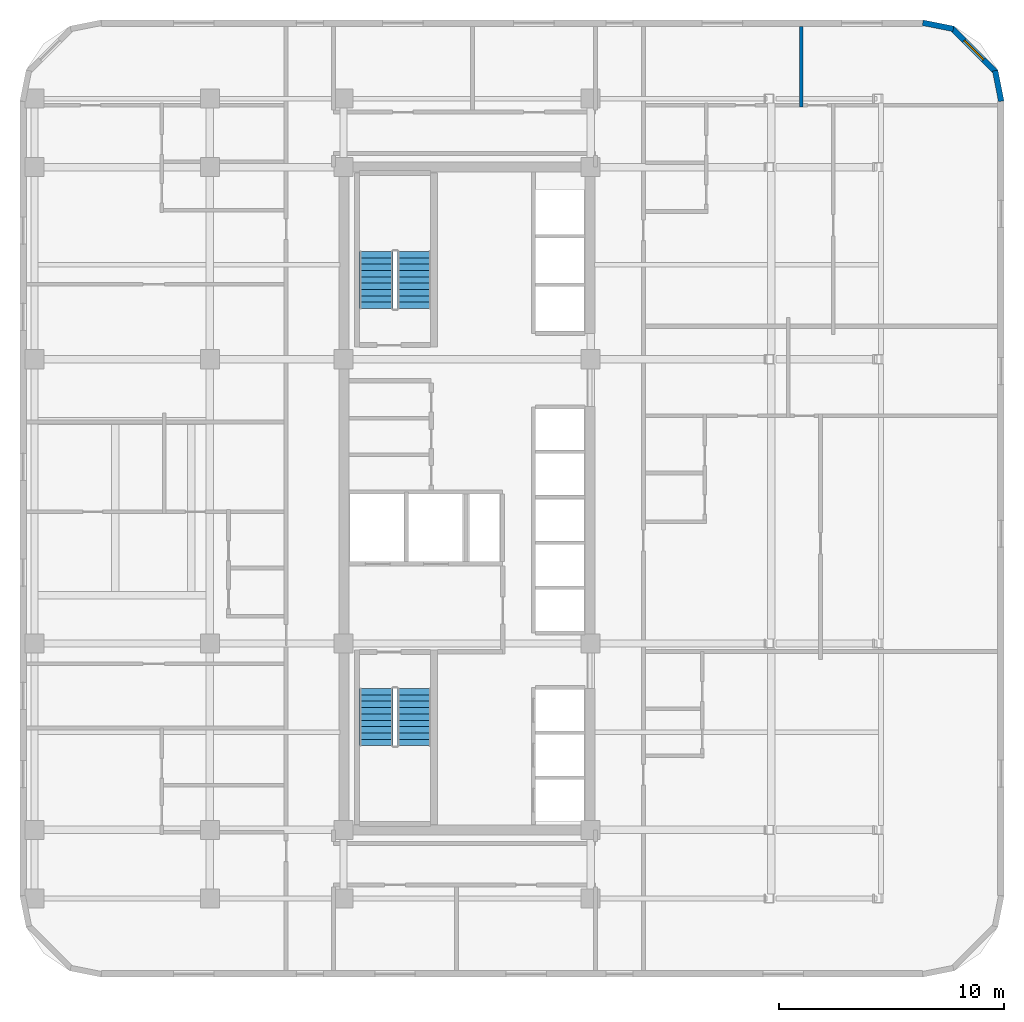
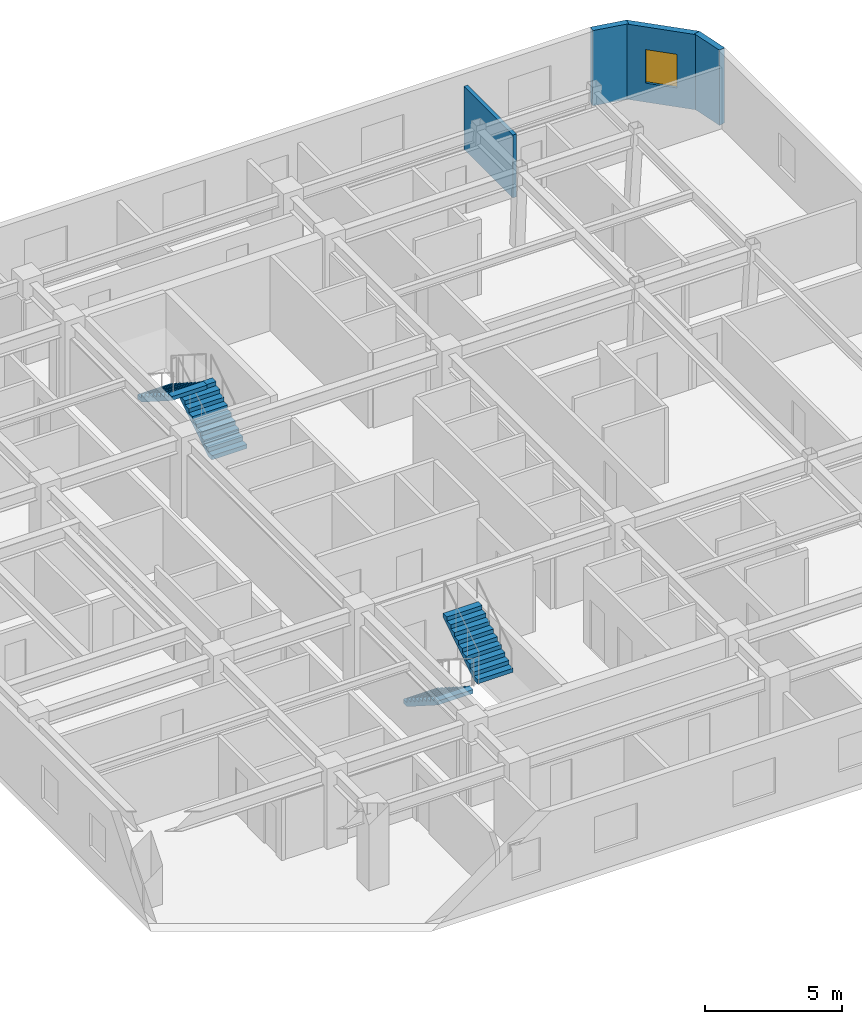
# One storey, part 7 of 8: 4 stair flights, 4 walls, 1 window, 1 opening, 2 elements without a shape of their own.
"""IFC4 building model written with IfcOpenShell, lengths in metres."""

from ifc_helpers import new_model, si_unit, direction, frame, frame_2d, origin, place, context, subcontext, project, spatial, polyline, rectangle, outline, extrude, material, layer, layer_set, type_object, element, fill, aggregate, save


model = new_model("IFC4")

# Units and contexts
model_context = context("Model", 3, precision=1e-05, world=origin(), true_north=direction((0.0, 1.0)))
body_context = subcontext(model_context, "Body", "Model", "MODEL_VIEW")
ifc_project = project(units=[si_unit("LENGTHUNIT", "METRE"), si_unit("AREAUNIT", "SQUARE_METRE"), si_unit("VOLUMEUNIT", "CUBIC_METRE"), si_unit("PLANEANGLEUNIT", "RADIAN"), si_unit("MASSUNIT", "GRAM", prefix="KILO")], contexts=[model_context])

# Site, building, storey
site_placement = place(None, origin())
site = spatial("IfcSite", under=ifc_project, at=site_placement, CompositionType="ELEMENT")
building_placement = place(site_placement, origin())
building = spatial("IfcBuilding", under=site, at=building_placement, Name="Ochreholt Gables", CompositionType="ELEMENT")
storey_placement = place(building_placement, frame((0.0, 0.0, 91.199951171875)))
storey = spatial("IfcBuildingStorey", under=building, at=storey_placement, Name="L23", CompositionType="ELEMENT", Elevation=91.199951171875)

# Wall
ifc_material_1 = material(Name="Precast concrete 40 MPa", Category="concrete")
ifc_layer_1 = layer(ifc_material_1, 0.25, Name="Precast concrete 40 MPa")
ifc_layer_set_1 = layer_set([ifc_layer_1], Name="Precast concrete 40 MPa")
wall_type_1 = type_object("IfcWallType", Name="WALL-EXT-CNR", PredefinedType="SOLIDWALL", material=ifc_layer_set_1)
wall_1_placement = place(storey_placement, frame((53.475830078125, 41.68359375, 0.0), z_axis=(0.0, 0.0, 1.0), x_axis=(-0.195000137217, 0.980803214965, 0.0)))
element("IfcWall", 1, at=wall_1_placement, inside=storey, type_object=wall_type_1, Name="L23 Rounded Corner Wall NE-1", PredefinedType="SOLIDWALL", context=body_context, shape_type="SweptSolid", body=[
    extrude(rectangle(XDim=1.388427734375, YDim=0.25, at=frame_2d((0.6943359375, 0.0))), origin(), (0.0, 0.0, 1.0), 3.360107421875),
])

# Wall, opening, window
wall_2_placement = place(storey_placement, frame((53.23193359375, 42.9951171875, 0.0), z_axis=(0.0, 0.0, 1.0), x_axis=(-0.707151344399, 0.707062215165, 0.0)))
wall_2 = element("IfcWall", 2, at=wall_2_placement, inside=storey, type_object=wall_type_1, Name="L23 Rounded Corner Wall NE-2", PredefinedType="SOLIDWALL", context=body_context, shape_type="SweptSolid", body=[
    extrude(rectangle(XDim=2.7392578125, YDim=0.25, at=frame_2d((1.36962890625, 0.0))), origin(), (0.0, 0.0, 1.0), 3.360107421875),
])
opening_placement = place(wall_2_placement, frame((0.769775390625, 0.0, 0.85009765625)))
opening = element("IfcOpeningElement", 3, at=opening_placement, cuts=wall_2, Name="Opening WN-3", PredefinedType="OPENING", context=body_context, shape_type="SweptSolid", body=[
    extrude(rectangle(XDim=1.199951171875, YDim=1.5, at=frame_2d((0.60009765625, 0.75))), frame((0.0, 0.135009765625, 0.0), z_axis=(0.0, -1.0, 0.0), x_axis=(1.0, 0.0, 0.0)), (0.0, 0.0, 1.0), 0.27001953125),
])
ifc_material_2 = material(Name="Triple-Glazed Thermally Broken Aluminium Window", Category="aluminium")
window_type = type_object("IfcWindowType", Name="WIN-RES-1200", PartitioningType="SINGLE_PANEL", PredefinedType="WINDOW", material=ifc_material_2)
window_placement = place(opening_placement, origin())
window = element("IfcWindow", 4, at=window_placement, inside=storey, type_object=window_type, Name="L23 Corner Bedroom Window NE", OverallHeight=1.5, OverallWidth=1.199951171875, PartitioningType="SINGLE_PANEL", PredefinedType="WINDOW", context=body_context, shape_type="SweptSolid", body=[
    extrude(rectangle(XDim=1.199951171875, YDim=1.5, at=frame_2d((0.60009765625, 0.75))), frame((0.0, 0.030029296875, 0.0), z_axis=(0.0, -1.0, 0.0), x_axis=(1.0, 0.0, 0.0)), (0.0, 0.0, 1.0), 0.06005859375),
])
fill(opening, window)

# Walls
wall_3_placement = place(storey_placement, frame((51.345458984375, 44.905029296875, 0.0), z_axis=(0.0, 0.0, 1.0), x_axis=(-0.980809899341, 0.19496651342, 0.0)))
element("IfcWall", 5, at=wall_3_placement, inside=storey, type_object=wall_type_1, Name="L23 Rounded Corner Wall NE-3", PredefinedType="SOLIDWALL", context=body_context, shape_type="SweptSolid", body=[
    extrude(rectangle(XDim=1.388671875, YDim=0.25, at=frame_2d((0.6943359375, 0.0))), origin(), (0.0, 0.0, 1.0), 3.360107421875),
])
ifc_material_3 = material(Name="Gypsum Acoustic Stud Partition", Category="gypsum")
ifc_layer_2 = layer(ifc_material_3, 0.159912109375, Name="Gypsum Acoustic Stud Partition")
ifc_layer_set_2 = layer_set([ifc_layer_2], Name="Gypsum Acoustic Stud Partition")
wall_type_2 = type_object("IfcWallType", Name="WALL-INT-PT160", PredefinedType="PARTITIONING", material=ifc_layer_set_2)
wall_4_placement = place(storey_placement, frame((44.5751953125, 41.429931640625, 0.0), z_axis=(0.0, 0.0, 1.0), x_axis=(0.0, 1.0, 0.0)))
element("IfcWall", 6, at=wall_4_placement, inside=storey, type_object=wall_type_2, Name="L23 Interior Wall WU-L23E3-BSD", PredefinedType="PARTITIONING", context=body_context, shape_type="SweptSolid", body=[
    extrude(rectangle(XDim=3.590087890625, YDim=0.159912109375, at=frame_2d((1.794921875, 0.0))), origin(), (0.0, 0.0, 1.0), 2.80908203125),
])

# Stair, stair flights
ifc_material_4 = material(Name="Concrete 40 MPa", Category="concrete")
stair_type_1 = type_object("IfcStairType", Name="STAIR-CORE-ST-1", PredefinedType="HALF_TURN_STAIR", material=ifc_material_4)
stair_1_placement = place(storey_placement, origin())
stair_1 = element("IfcStair", 7, at=stair_1_placement, inside=storey, type_object=stair_type_1, Name="L23 Core Exit Stair 1", PredefinedType="HALF_TURN_STAIR")
stair_flight_type = type_object("IfcStairFlightType", Name="FLIGHT-ST-1480-1800", PredefinedType="STRAIGHT", material=ifc_material_4)
stair_flight_1_placement = place(storey_placement, frame((25.659912109375, 15.5400390625, 0.0), z_axis=(0.0, 0.0, 1.0), x_axis=(0.0, -1.0, 0.0)))
stair_flight_1 = element("IfcStairFlight", 8, at=stair_flight_1_placement, type_object=stair_flight_type, Name="ST-1 flight 1", NumberOfRisers=10, NumberOfTreads=9, PredefinedType="STRAIGHT", RiserHeight=0.18, TreadLength=0.282, context=body_context, shape_type="SweptSolid", body=[
    extrude(outline(polyline([(0.0, 0.0), (0.0, 0.179931640625), (0.281982421875, 0.179931640625), (0.281982421875, 0.360107421875), (0.56396484375, 0.360107421875), (0.56396484375, 0.5400390625), (0.845947265625, 0.5400390625), (0.845947265625, 0.719970703125), (1.1279296875, 0.719970703125), (1.1279296875, 0.89990234375), (1.409912109375, 0.89990234375), (1.409912109375, 1.080078125), (1.69189453125, 1.080078125), (1.69189453125, 1.260009765625), (1.97412109375, 1.260009765625), (1.97412109375, 1.43994140625), (2.256103515625, 1.43994140625), (2.256103515625, 1.6201171875), (2.5380859375, 1.6201171875), (2.5380859375, 1.800048828125), (2.5380859375, 1.442138671875), (0.278564453125, 0.0), (0.0, 0.0)])), frame((0.0, 0.739990234375, 0.0), z_axis=(0.0, -1.0, 0.0), x_axis=(1.0, 0.0, 0.0)), (0.0, 0.0, 1.0), 1.47998046875),
])
stair_flight_2_placement = place(storey_placement, frame((27.340087890625, 13.001953125, 1.800048828125), z_axis=(0.0, 0.0, 1.0), x_axis=(0.0, 1.0, 0.0)))
stair_flight_2 = element("IfcStairFlight", 9, at=stair_flight_2_placement, type_object=stair_flight_type, Name="ST-1 flight 2", NumberOfRisers=10, NumberOfTreads=9, PredefinedType="STRAIGHT", RiserHeight=0.18, TreadLength=0.282, context=body_context, shape_type="SweptSolid", body=[
    extrude(outline(polyline([(0.0, 0.0), (0.0, 0.179931640625), (0.281982421875, 0.179931640625), (0.281982421875, 0.360107421875), (0.56396484375, 0.360107421875), (0.56396484375, 0.5400390625), (0.845947265625, 0.5400390625), (0.845947265625, 0.719970703125), (1.1279296875, 0.719970703125), (1.1279296875, 0.89990234375), (1.409912109375, 0.89990234375), (1.409912109375, 1.080078125), (1.69189453125, 1.080078125), (1.69189453125, 1.260009765625), (1.97412109375, 1.260009765625), (1.97412109375, 1.43994140625), (2.256103515625, 1.43994140625), (2.256103515625, 1.6201171875), (2.5380859375, 1.6201171875), (2.5380859375, 1.800048828125), (2.5380859375, 1.442138671875), (0.278564453125, 0.0), (0.0, 0.0)])), frame((0.0, 0.739990234375, 0.0), z_axis=(0.0, -1.0, 0.0), x_axis=(1.0, 0.0, 0.0)), (0.0, 0.0, 1.0), 1.47998046875),
])
aggregate(stair_1, [stair_flight_1, stair_flight_2])

stair_type_2 = type_object("IfcStairType", Name="STAIR-CORE-ST-2", PredefinedType="HALF_TURN_STAIR", material=ifc_material_4)
stair_2_placement = place(storey_placement, origin())
stair_2 = element("IfcStair", 10, at=stair_2_placement, inside=storey, type_object=stair_type_2, Name="L23 Core Exit Stair 2", PredefinedType="HALF_TURN_STAIR")
stair_flight_3_placement = place(storey_placement, frame((27.340087890625, 32.4599609375, 0.0), z_axis=(0.0, 0.0, 1.0), x_axis=(0.0, 1.0, 0.0)))
stair_flight_3 = element("IfcStairFlight", 11, at=stair_flight_3_placement, type_object=stair_flight_type, Name="ST-2 flight 1", NumberOfRisers=10, NumberOfTreads=9, PredefinedType="STRAIGHT", RiserHeight=0.18, TreadLength=0.282, context=body_context, shape_type="SweptSolid", body=[
    extrude(outline(polyline([(0.0, 0.0), (0.0, 0.179931640625), (0.281982421875, 0.179931640625), (0.281982421875, 0.360107421875), (0.56396484375, 0.360107421875), (0.56396484375, 0.5400390625), (0.845947265625, 0.5400390625), (0.845947265625, 0.719970703125), (1.1279296875, 0.719970703125), (1.1279296875, 0.89990234375), (1.409912109375, 0.89990234375), (1.409912109375, 1.080078125), (1.69189453125, 1.080078125), (1.69189453125, 1.260009765625), (1.97412109375, 1.260009765625), (1.97412109375, 1.43994140625), (2.256103515625, 1.43994140625), (2.256103515625, 1.6201171875), (2.5380859375, 1.6201171875), (2.5380859375, 1.800048828125), (2.5380859375, 1.442138671875), (0.278564453125, 0.0), (0.0, 0.0)])), frame((0.0, 0.739990234375, 0.0), z_axis=(0.0, -1.0, 0.0), x_axis=(1.0, 0.0, 0.0)), (0.0, 0.0, 1.0), 1.47998046875),
])
stair_flight_4_placement = place(storey_placement, frame((25.659912109375, 34.998046875, 1.800048828125), z_axis=(0.0, 0.0, 1.0), x_axis=(0.0, -1.0, 0.0)))
stair_flight_4 = element("IfcStairFlight", 12, at=stair_flight_4_placement, type_object=stair_flight_type, Name="ST-2 flight 2", NumberOfRisers=10, NumberOfTreads=9, PredefinedType="STRAIGHT", RiserHeight=0.18, TreadLength=0.282, context=body_context, shape_type="SweptSolid", body=[
    extrude(outline(polyline([(0.0, 0.0), (0.0, 0.179931640625), (0.281982421875, 0.179931640625), (0.281982421875, 0.360107421875), (0.56396484375, 0.360107421875), (0.56396484375, 0.5400390625), (0.845947265625, 0.5400390625), (0.845947265625, 0.719970703125), (1.1279296875, 0.719970703125), (1.1279296875, 0.89990234375), (1.409912109375, 0.89990234375), (1.409912109375, 1.080078125), (1.69189453125, 1.080078125), (1.69189453125, 1.260009765625), (1.97412109375, 1.260009765625), (1.97412109375, 1.43994140625), (2.256103515625, 1.43994140625), (2.256103515625, 1.6201171875), (2.5380859375, 1.6201171875), (2.5380859375, 1.800048828125), (2.5380859375, 1.442138671875), (0.278564453125, 0.0), (0.0, 0.0)])), frame((0.0, 0.739990234375, 0.0), z_axis=(0.0, -1.0, 0.0), x_axis=(1.0, 0.0, 0.0)), (0.0, 0.0, 1.0), 1.47998046875),
])
aggregate(stair_2, [stair_flight_3, stair_flight_4])

save(model, "model.ifc")
